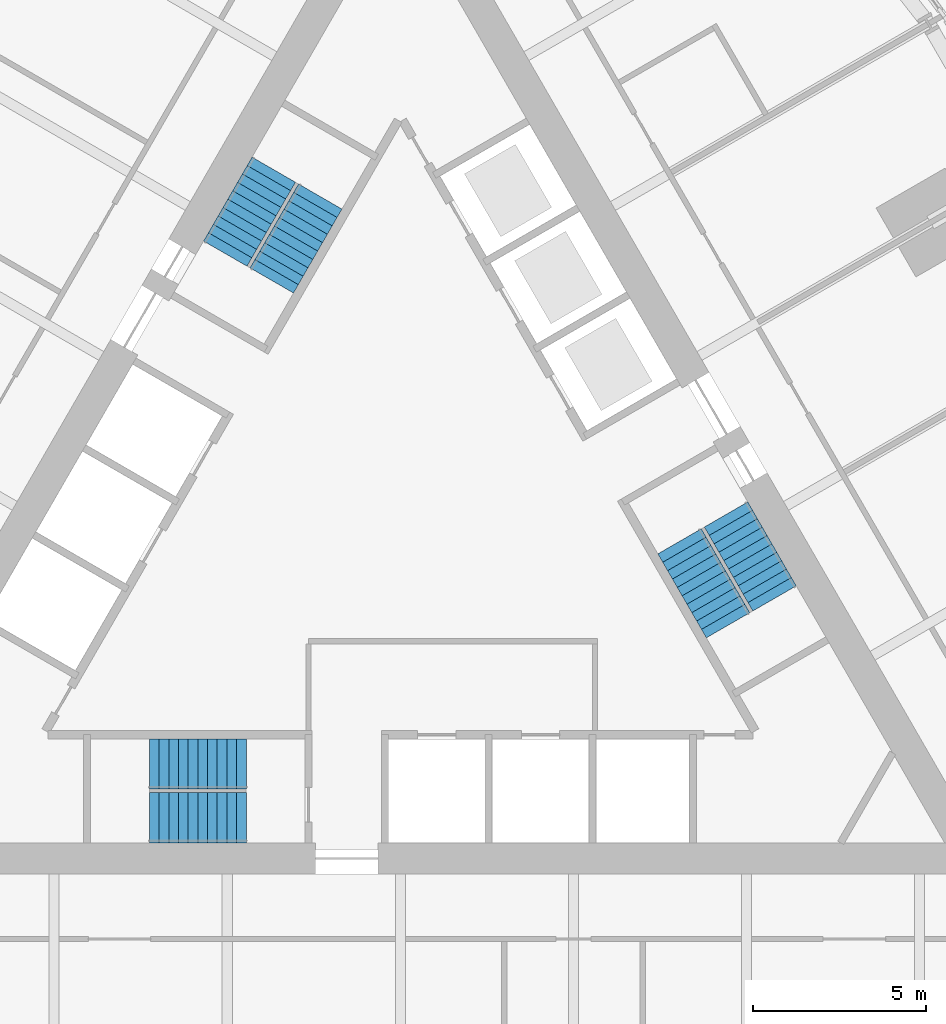
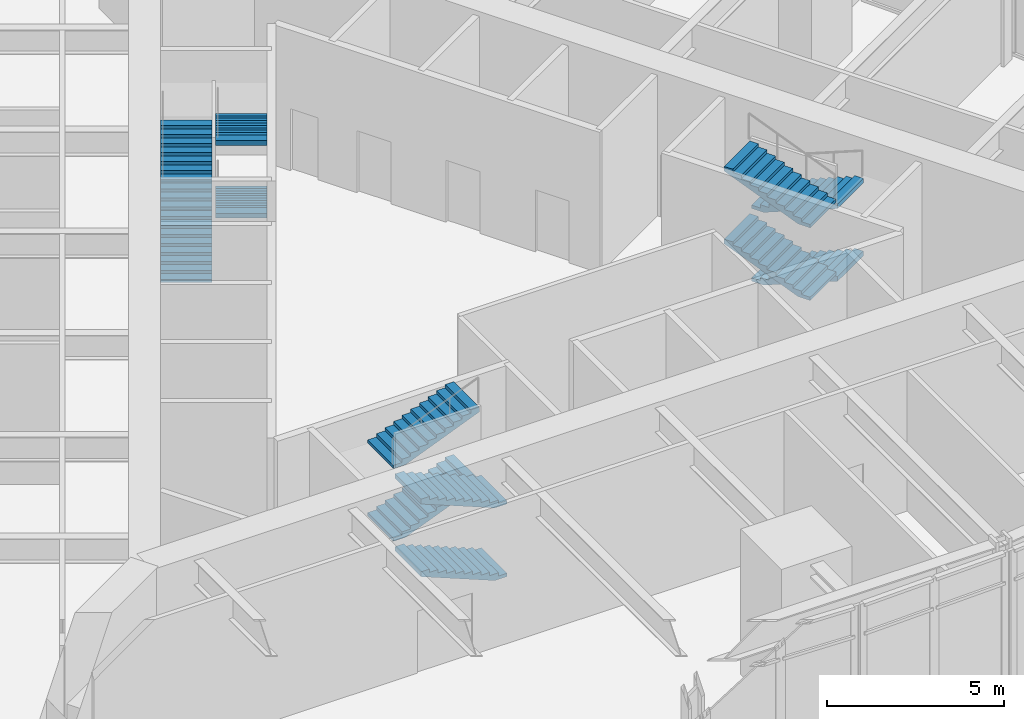
# One storey, part 12 of 14: 12 stair flights, 3 elements without a shape of their own.
"""IFC4 building model written with IfcOpenShell, lengths in metres."""

from ifc_helpers import new_model, si_unit, direction, frame, origin, place, context, subcontext, project, spatial, polyline, outline, extrude, material, type_object, element, aggregate, save


model = new_model("IFC4")

# Units and contexts
model_context = context("Model", 3, precision=1e-05, world=origin(), true_north=direction((0.0, 1.0)))
body_context = subcontext(model_context, "Body", "Model", "MODEL_VIEW")
ifc_project = project(units=[si_unit("LENGTHUNIT", "METRE"), si_unit("AREAUNIT", "SQUARE_METRE"), si_unit("VOLUMEUNIT", "CUBIC_METRE"), si_unit("PLANEANGLEUNIT", "RADIAN"), si_unit("MASSUNIT", "GRAM", prefix="KILO")], contexts=[model_context])

# Site, building, storey
site_placement = place(None, origin())
site = spatial("IfcSite", under=ifc_project, at=site_placement, CompositionType="ELEMENT")
building_placement = place(site_placement, origin())
building = spatial("IfcBuilding", under=site, at=building_placement, Name="Trikona Tower", CompositionType="ELEMENT")
storey_placement = place(building_placement, frame((0.0, 0.0, 109.699951171875)))
storey = spatial("IfcBuildingStorey", under=building, at=storey_placement, Name="L28", CompositionType="ELEMENT", Elevation=109.699951171875)

# Stair, stair flights
ifc_material_1 = material(Name="Concrete f'c 5000 psi", Category="concrete")
stair_type = type_object("IfcStairType", Name="Core stair", PredefinedType="HALF_TURN_STAIR", material=ifc_material_1)
stair_1_placement = place(storey_placement, origin())
stair_1 = element("IfcStair", 1, at=stair_1_placement, inside=storey, type_object=stair_type, Name="Stair A L28", PredefinedType="HALF_TURN_STAIR")
ifc_material_2 = material(Name="Concrete f'c 5000 psi", Category="concrete")
stair_flight_type = type_object("IfcStairFlightType", Name="Core stair flight 1450", PredefinedType="STRAIGHT", material=ifc_material_2)
stair_flight_1_placement = place(storey_placement, frame((-4.449951171875, -8.351318359375, 0.0), z_axis=(0.0, 0.0, 1.0), x_axis=(-1.0, 0.0, 0.0)))
stair_flight_1 = element("IfcStairFlight", 2, at=stair_flight_1_placement, type_object=stair_flight_type, Name="ST-A flight 1", NumberOfRisers=11, NumberOfTreads=10, PredefinedType="STRAIGHT", RiserHeight=0.113636, TreadLength=0.28, context=body_context, shape_type="SweptSolid", body=[
    extrude(outline(polyline([(0.0, 0.0), (0.0, 0.113525390625), (0.280029296875, 0.113525390625), (0.280029296875, 0.227294921875), (0.56005859375, 0.227294921875), (0.56005859375, 0.3408203125), (0.840087890625, 0.3408203125), (0.840087890625, 0.45458984375), (1.1201171875, 0.45458984375), (1.1201171875, 0.568115234375), (1.39990234375, 0.568115234375), (1.39990234375, 0.681884765625), (1.679931640625, 0.681884765625), (1.679931640625, 0.79541015625), (1.9599609375, 0.79541015625), (1.9599609375, 0.9091796875), (2.239990234375, 0.9091796875), (2.239990234375, 1.022705078125), (2.52001953125, 1.022705078125), (2.52001953125, 1.136474609375), (2.800048828125, 1.136474609375), (2.800048828125, 1.25), (2.800048828125, 0.974609375), (0.398681640625, 0.0), (0.0, 0.0)])), frame((0.0, 0.72509765625, 0.0), z_axis=(0.0, -1.0, 0.0), x_axis=(1.0, 0.0, 0.0)), (0.0, 0.0, 1.0), 1.449951171875),
])
stair_flight_2_placement = place(storey_placement, frame((-7.25, -6.80126953125, 1.25), z_axis=(0.0, 0.0, 1.0), x_axis=(1.0, 0.0, 0.0)))
stair_flight_2 = element("IfcStairFlight", 3, at=stair_flight_2_placement, type_object=stair_flight_type, Name="ST-A flight 2", NumberOfRisers=11, NumberOfTreads=10, PredefinedType="STRAIGHT", RiserHeight=0.113636, TreadLength=0.28, context=body_context, shape_type="SweptSolid", body=[
    extrude(outline(polyline([(0.0, 0.0), (0.0, 0.113525390625), (0.280029296875, 0.113525390625), (0.280029296875, 0.227294921875), (0.56005859375, 0.227294921875), (0.56005859375, 0.3408203125), (0.840087890625, 0.3408203125), (0.840087890625, 0.45458984375), (1.1201171875, 0.45458984375), (1.1201171875, 0.568115234375), (1.39990234375, 0.568115234375), (1.39990234375, 0.681884765625), (1.679931640625, 0.681884765625), (1.679931640625, 0.79541015625), (1.9599609375, 0.79541015625), (1.9599609375, 0.9091796875), (2.239990234375, 0.9091796875), (2.239990234375, 1.022705078125), (2.52001953125, 1.022705078125), (2.52001953125, 1.136474609375), (2.800048828125, 1.136474609375), (2.800048828125, 1.25), (2.800048828125, 0.974609375), (0.398681640625, 0.0), (0.0, 0.0)])), frame((0.0, 0.72509765625, 0.0), z_axis=(0.0, -1.0, 0.0), x_axis=(1.0, 0.0, 0.0)), (0.0, 0.0, 1.0), 1.449951171875),
])
stair_flight_3_placement = place(storey_placement, frame((-4.449951171875, -8.351318359375, 2.5), z_axis=(0.0, 0.0, 1.0), x_axis=(-1.0, 0.0, 0.0)))
stair_flight_3 = element("IfcStairFlight", 4, at=stair_flight_3_placement, type_object=stair_flight_type, Name="ST-A flight 3", NumberOfRisers=11, NumberOfTreads=10, PredefinedType="STRAIGHT", RiserHeight=0.113636, TreadLength=0.28, context=body_context, shape_type="SweptSolid", body=[
    extrude(outline(polyline([(0.0, 0.0), (0.0, 0.113525390625), (0.280029296875, 0.113525390625), (0.280029296875, 0.227294921875), (0.56005859375, 0.227294921875), (0.56005859375, 0.3408203125), (0.840087890625, 0.3408203125), (0.840087890625, 0.45458984375), (1.1201171875, 0.45458984375), (1.1201171875, 0.568115234375), (1.39990234375, 0.568115234375), (1.39990234375, 0.681884765625), (1.679931640625, 0.681884765625), (1.679931640625, 0.79541015625), (1.9599609375, 0.79541015625), (1.9599609375, 0.9091796875), (2.239990234375, 0.9091796875), (2.239990234375, 1.022705078125), (2.52001953125, 1.022705078125), (2.52001953125, 1.136474609375), (2.800048828125, 1.136474609375), (2.800048828125, 1.25), (2.800048828125, 0.974609375), (0.398681640625, 0.0), (0.0, 0.0)])), frame((0.0, 0.72509765625, 0.0), z_axis=(0.0, -1.0, 0.0), x_axis=(1.0, 0.0, 0.0)), (0.0, 0.0, 1.0), 1.449951171875),
])
stair_flight_4_placement = place(storey_placement, frame((-7.25, -6.80126953125, 3.75), z_axis=(0.0, 0.0, 1.0), x_axis=(1.0, 0.0, 0.0)))
stair_flight_4 = element("IfcStairFlight", 5, at=stair_flight_4_placement, type_object=stair_flight_type, Name="ST-A flight 4", NumberOfRisers=11, NumberOfTreads=10, PredefinedType="STRAIGHT", RiserHeight=0.113636, TreadLength=0.28, context=body_context, shape_type="SweptSolid", body=[
    extrude(outline(polyline([(0.0, 0.0), (0.0, 0.113525390625), (0.280029296875, 0.113525390625), (0.280029296875, 0.227294921875), (0.56005859375, 0.227294921875), (0.56005859375, 0.3408203125), (0.840087890625, 0.3408203125), (0.840087890625, 0.45458984375), (1.1201171875, 0.45458984375), (1.1201171875, 0.568115234375), (1.39990234375, 0.568115234375), (1.39990234375, 0.681884765625), (1.679931640625, 0.681884765625), (1.679931640625, 0.79541015625), (1.9599609375, 0.79541015625), (1.9599609375, 0.9091796875), (2.239990234375, 0.9091796875), (2.239990234375, 1.022705078125), (2.52001953125, 1.022705078125), (2.52001953125, 1.136474609375), (2.800048828125, 1.136474609375), (2.800048828125, 1.25), (2.800048828125, 0.974609375), (0.398681640625, 0.0), (0.0, 0.0)])), frame((0.0, 0.72509765625, 0.0), z_axis=(0.0, -1.0, 0.0), x_axis=(1.0, 0.0, 0.0)), (0.0, 0.0, 1.0), 1.449951171875),
])
aggregate(stair_1, [stair_flight_1, stair_flight_2, stair_flight_3, stair_flight_4])

stair_2_placement = place(storey_placement, origin())
stair_2 = element("IfcStair", 6, at=stair_2_placement, inside=storey, type_object=stair_type, Name="Stair B L28", PredefinedType="HALF_TURN_STAIR")
stair_flight_5_placement = place(storey_placement, frame((9.407470703125, 0.408447265625, 0.0), z_axis=(0.0, 0.0, 1.0), x_axis=(0.5, -0.866025403784, 0.0)))
stair_flight_5 = element("IfcStairFlight", 7, at=stair_flight_5_placement, type_object=stair_flight_type, Name="ST-B flight 1", NumberOfRisers=11, NumberOfTreads=10, PredefinedType="STRAIGHT", RiserHeight=0.113636, TreadLength=0.28, context=body_context, shape_type="SweptSolid", body=[
    extrude(outline(polyline([(0.0, 0.0), (0.0, 0.113525390625), (0.280029296875, 0.113525390625), (0.280029296875, 0.227294921875), (0.56005859375, 0.227294921875), (0.56005859375, 0.3408203125), (0.840087890625, 0.3408203125), (0.840087890625, 0.45458984375), (1.1201171875, 0.45458984375), (1.1201171875, 0.568115234375), (1.39990234375, 0.568115234375), (1.39990234375, 0.681884765625), (1.679931640625, 0.681884765625), (1.679931640625, 0.79541015625), (1.9599609375, 0.79541015625), (1.9599609375, 0.9091796875), (2.239990234375, 0.9091796875), (2.239990234375, 1.022705078125), (2.52001953125, 1.022705078125), (2.52001953125, 1.136474609375), (2.800048828125, 1.136474609375), (2.800048828125, 1.25), (2.800048828125, 0.974609375), (0.398681640625, 0.0), (0.0, 0.0)])), frame((0.0, 0.72509765625, 0.0), z_axis=(0.0, -1.0, 0.0), x_axis=(1.0, 0.0, 0.0)), (0.0, 0.0, 1.0), 1.449951171875),
])
stair_flight_6_placement = place(storey_placement, frame((9.465087890625, -2.79150390625, 1.25), z_axis=(0.0, 0.0, 1.0), x_axis=(-0.5, 0.866025403784, 0.0)))
stair_flight_6 = element("IfcStairFlight", 8, at=stair_flight_6_placement, type_object=stair_flight_type, Name="ST-B flight 2", NumberOfRisers=11, NumberOfTreads=10, PredefinedType="STRAIGHT", RiserHeight=0.113636, TreadLength=0.28, context=body_context, shape_type="SweptSolid", body=[
    extrude(outline(polyline([(0.0, 0.0), (0.0, 0.113525390625), (0.280029296875, 0.113525390625), (0.280029296875, 0.227294921875), (0.56005859375, 0.227294921875), (0.56005859375, 0.3408203125), (0.840087890625, 0.3408203125), (0.840087890625, 0.45458984375), (1.1201171875, 0.45458984375), (1.1201171875, 0.568115234375), (1.39990234375, 0.568115234375), (1.39990234375, 0.681884765625), (1.679931640625, 0.681884765625), (1.679931640625, 0.79541015625), (1.9599609375, 0.79541015625), (1.9599609375, 0.9091796875), (2.239990234375, 0.9091796875), (2.239990234375, 1.022705078125), (2.52001953125, 1.022705078125), (2.52001953125, 1.136474609375), (2.800048828125, 1.136474609375), (2.800048828125, 1.25), (2.800048828125, 0.974609375), (0.398681640625, 0.0), (0.0, 0.0)])), frame((0.0, 0.72509765625, 0.0), z_axis=(0.0, -1.0, 0.0), x_axis=(1.0, 0.0, 0.0)), (0.0, 0.0, 1.0), 1.449951171875),
])
stair_flight_7_placement = place(storey_placement, frame((9.407470703125, 0.408447265625, 2.5), z_axis=(0.0, 0.0, 1.0), x_axis=(0.5, -0.866025403784, 0.0)))
stair_flight_7 = element("IfcStairFlight", 9, at=stair_flight_7_placement, type_object=stair_flight_type, Name="ST-B flight 3", NumberOfRisers=11, NumberOfTreads=10, PredefinedType="STRAIGHT", RiserHeight=0.113636, TreadLength=0.28, context=body_context, shape_type="SweptSolid", body=[
    extrude(outline(polyline([(0.0, 0.0), (0.0, 0.113525390625), (0.280029296875, 0.113525390625), (0.280029296875, 0.227294921875), (0.56005859375, 0.227294921875), (0.56005859375, 0.3408203125), (0.840087890625, 0.3408203125), (0.840087890625, 0.45458984375), (1.1201171875, 0.45458984375), (1.1201171875, 0.568115234375), (1.39990234375, 0.568115234375), (1.39990234375, 0.681884765625), (1.679931640625, 0.681884765625), (1.679931640625, 0.79541015625), (1.9599609375, 0.79541015625), (1.9599609375, 0.9091796875), (2.239990234375, 0.9091796875), (2.239990234375, 1.022705078125), (2.52001953125, 1.022705078125), (2.52001953125, 1.136474609375), (2.800048828125, 1.136474609375), (2.800048828125, 1.25), (2.800048828125, 0.974609375), (0.398681640625, 0.0), (0.0, 0.0)])), frame((0.0, 0.72509765625, 0.0), z_axis=(0.0, -1.0, 0.0), x_axis=(1.0, 0.0, 0.0)), (0.0, 0.0, 1.0), 1.449951171875),
])
stair_flight_8_placement = place(storey_placement, frame((9.465087890625, -2.79150390625, 3.75), z_axis=(0.0, 0.0, 1.0), x_axis=(-0.5, 0.866025403784, 0.0)))
stair_flight_8 = element("IfcStairFlight", 10, at=stair_flight_8_placement, type_object=stair_flight_type, Name="ST-B flight 4", NumberOfRisers=11, NumberOfTreads=10, PredefinedType="STRAIGHT", RiserHeight=0.113636, TreadLength=0.28, context=body_context, shape_type="SweptSolid", body=[
    extrude(outline(polyline([(0.0, 0.0), (0.0, 0.113525390625), (0.280029296875, 0.113525390625), (0.280029296875, 0.227294921875), (0.56005859375, 0.227294921875), (0.56005859375, 0.3408203125), (0.840087890625, 0.3408203125), (0.840087890625, 0.45458984375), (1.1201171875, 0.45458984375), (1.1201171875, 0.568115234375), (1.39990234375, 0.568115234375), (1.39990234375, 0.681884765625), (1.679931640625, 0.681884765625), (1.679931640625, 0.79541015625), (1.9599609375, 0.79541015625), (1.9599609375, 0.9091796875), (2.239990234375, 0.9091796875), (2.239990234375, 1.022705078125), (2.52001953125, 1.022705078125), (2.52001953125, 1.136474609375), (2.800048828125, 1.136474609375), (2.800048828125, 1.25), (2.800048828125, 0.974609375), (0.398681640625, 0.0), (0.0, 0.0)])), frame((0.0, 0.72509765625, 0.0), z_axis=(0.0, -1.0, 0.0), x_axis=(1.0, 0.0, 0.0)), (0.0, 0.0, 1.0), 1.449951171875),
])
aggregate(stair_2, [stair_flight_5, stair_flight_6, stair_flight_7, stair_flight_8])

stair_3_placement = place(storey_placement, origin())
stair_3 = element("IfcStair", 11, at=stair_3_placement, inside=storey, type_object=stair_type, Name="Stair C L28", PredefinedType="HALF_TURN_STAIR")
stair_flight_9_placement = place(storey_placement, frame((-5.057373046875, 7.94287109375, 0.0), z_axis=(0.0, 0.0, 1.0), x_axis=(0.5, 0.866025403784, 0.0)))
stair_flight_9 = element("IfcStairFlight", 12, at=stair_flight_9_placement, type_object=stair_flight_type, Name="ST-C flight 1", NumberOfRisers=11, NumberOfTreads=10, PredefinedType="STRAIGHT", RiserHeight=0.113636, TreadLength=0.28, context=body_context, shape_type="SweptSolid", body=[
    extrude(outline(polyline([(0.0, 0.0), (0.0, 0.113525390625), (0.280029296875, 0.113525390625), (0.280029296875, 0.227294921875), (0.56005859375, 0.227294921875), (0.56005859375, 0.3408203125), (0.840087890625, 0.3408203125), (0.840087890625, 0.45458984375), (1.1201171875, 0.45458984375), (1.1201171875, 0.568115234375), (1.39990234375, 0.568115234375), (1.39990234375, 0.681884765625), (1.679931640625, 0.681884765625), (1.679931640625, 0.79541015625), (1.9599609375, 0.79541015625), (1.9599609375, 0.9091796875), (2.239990234375, 0.9091796875), (2.239990234375, 1.022705078125), (2.52001953125, 1.022705078125), (2.52001953125, 1.136474609375), (2.800048828125, 1.136474609375), (2.800048828125, 1.25), (2.800048828125, 0.974609375), (0.398681640625, 0.0), (0.0, 0.0)])), frame((0.0, 0.72509765625, 0.0), z_axis=(0.0, -1.0, 0.0), x_axis=(1.0, 0.0, 0.0)), (0.0, 0.0, 1.0), 1.449951171875),
])
stair_flight_10_placement = place(storey_placement, frame((-2.315185546875, 9.5927734375, 1.25), z_axis=(0.0, 0.0, 1.0), x_axis=(-0.5, -0.866025403784, 0.0)))
stair_flight_10 = element("IfcStairFlight", 13, at=stair_flight_10_placement, type_object=stair_flight_type, Name="ST-C flight 2", NumberOfRisers=11, NumberOfTreads=10, PredefinedType="STRAIGHT", RiserHeight=0.113636, TreadLength=0.28, context=body_context, shape_type="SweptSolid", body=[
    extrude(outline(polyline([(0.0, 0.0), (0.0, 0.113525390625), (0.280029296875, 0.113525390625), (0.280029296875, 0.227294921875), (0.56005859375, 0.227294921875), (0.56005859375, 0.3408203125), (0.840087890625, 0.3408203125), (0.840087890625, 0.45458984375), (1.1201171875, 0.45458984375), (1.1201171875, 0.568115234375), (1.39990234375, 0.568115234375), (1.39990234375, 0.681884765625), (1.679931640625, 0.681884765625), (1.679931640625, 0.79541015625), (1.9599609375, 0.79541015625), (1.9599609375, 0.9091796875), (2.239990234375, 0.9091796875), (2.239990234375, 1.022705078125), (2.52001953125, 1.022705078125), (2.52001953125, 1.136474609375), (2.800048828125, 1.136474609375), (2.800048828125, 1.25), (2.800048828125, 0.974609375), (0.398681640625, 0.0), (0.0, 0.0)])), frame((0.0, 0.72509765625, 0.0), z_axis=(0.0, -1.0, 0.0), x_axis=(1.0, 0.0, 0.0)), (0.0, 0.0, 1.0), 1.449951171875),
])
stair_flight_11_placement = place(storey_placement, frame((-5.057373046875, 7.94287109375, 2.5), z_axis=(0.0, 0.0, 1.0), x_axis=(0.5, 0.866025403784, 0.0)))
stair_flight_11 = element("IfcStairFlight", 14, at=stair_flight_11_placement, type_object=stair_flight_type, Name="ST-C flight 3", NumberOfRisers=11, NumberOfTreads=10, PredefinedType="STRAIGHT", RiserHeight=0.113636, TreadLength=0.28, context=body_context, shape_type="SweptSolid", body=[
    extrude(outline(polyline([(0.0, 0.0), (0.0, 0.113525390625), (0.280029296875, 0.113525390625), (0.280029296875, 0.227294921875), (0.56005859375, 0.227294921875), (0.56005859375, 0.3408203125), (0.840087890625, 0.3408203125), (0.840087890625, 0.45458984375), (1.1201171875, 0.45458984375), (1.1201171875, 0.568115234375), (1.39990234375, 0.568115234375), (1.39990234375, 0.681884765625), (1.679931640625, 0.681884765625), (1.679931640625, 0.79541015625), (1.9599609375, 0.79541015625), (1.9599609375, 0.9091796875), (2.239990234375, 0.9091796875), (2.239990234375, 1.022705078125), (2.52001953125, 1.022705078125), (2.52001953125, 1.136474609375), (2.800048828125, 1.136474609375), (2.800048828125, 1.25), (2.800048828125, 0.974609375), (0.398681640625, 0.0), (0.0, 0.0)])), frame((0.0, 0.72509765625, 0.0), z_axis=(0.0, -1.0, 0.0), x_axis=(1.0, 0.0, 0.0)), (0.0, 0.0, 1.0), 1.449951171875),
])
stair_flight_12_placement = place(storey_placement, frame((-2.315185546875, 9.5927734375, 3.75), z_axis=(0.0, 0.0, 1.0), x_axis=(-0.5, -0.866025403784, 0.0)))
stair_flight_12 = element("IfcStairFlight", 15, at=stair_flight_12_placement, type_object=stair_flight_type, Name="ST-C flight 4", NumberOfRisers=11, NumberOfTreads=10, PredefinedType="STRAIGHT", RiserHeight=0.113636, TreadLength=0.28, context=body_context, shape_type="SweptSolid", body=[
    extrude(outline(polyline([(0.0, 0.0), (0.0, 0.113525390625), (0.280029296875, 0.113525390625), (0.280029296875, 0.227294921875), (0.56005859375, 0.227294921875), (0.56005859375, 0.3408203125), (0.840087890625, 0.3408203125), (0.840087890625, 0.45458984375), (1.1201171875, 0.45458984375), (1.1201171875, 0.568115234375), (1.39990234375, 0.568115234375), (1.39990234375, 0.681884765625), (1.679931640625, 0.681884765625), (1.679931640625, 0.79541015625), (1.9599609375, 0.79541015625), (1.9599609375, 0.9091796875), (2.239990234375, 0.9091796875), (2.239990234375, 1.022705078125), (2.52001953125, 1.022705078125), (2.52001953125, 1.136474609375), (2.800048828125, 1.136474609375), (2.800048828125, 1.25), (2.800048828125, 0.974609375), (0.398681640625, 0.0), (0.0, 0.0)])), frame((0.0, 0.72509765625, 0.0), z_axis=(0.0, -1.0, 0.0), x_axis=(1.0, 0.0, 0.0)), (0.0, 0.0, 1.0), 1.449951171875),
])
aggregate(stair_3, [stair_flight_9, stair_flight_10, stair_flight_11, stair_flight_12])

save(model, "model.ifc")
